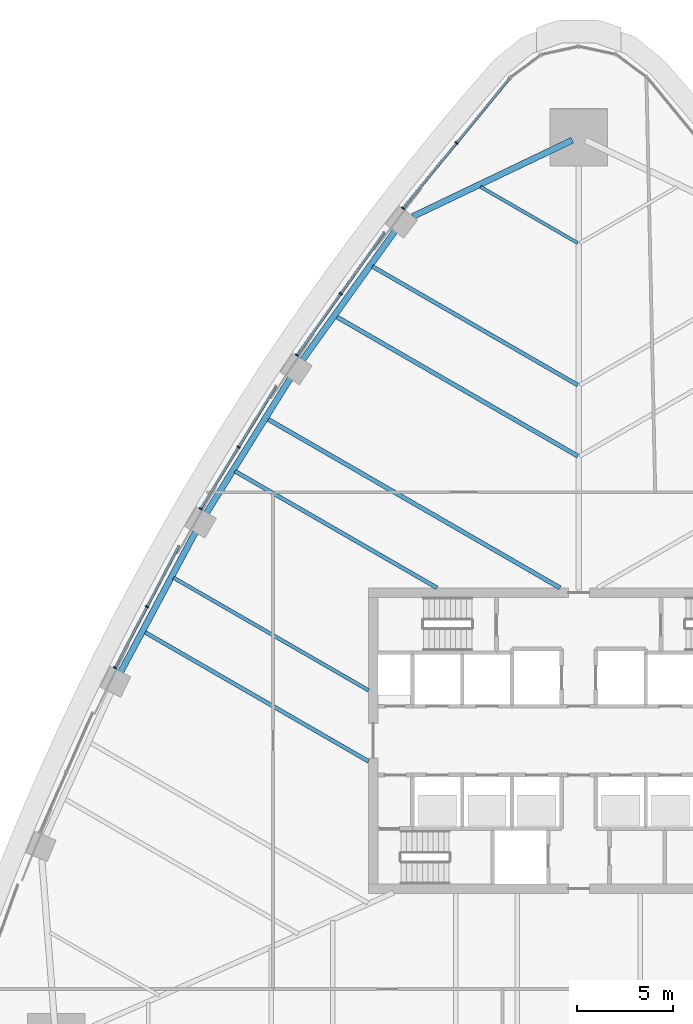
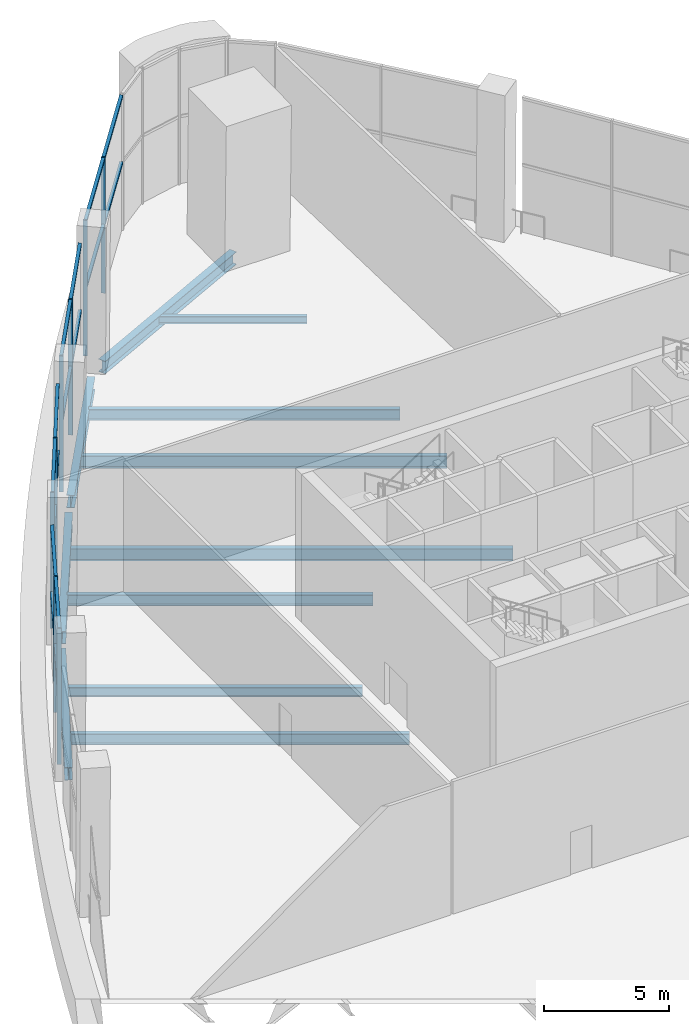
# One storey, part 7 of 23: 24 members, 11 beams, 4 elements without a shape of their own.
"""IFC4 building model written with IfcOpenShell, lengths in metres."""

from ifc_helpers import new_model, si_unit, direction, frame, origin, origin_2d, place, context, subcontext, project, spatial, rectangle, i_section, extrude, material, layer, layer_set, material_profile, profile_set, type_object, element, aggregate, save


model = new_model("IFC4")

# Units and contexts
model_context = context("Model", 3, precision=1e-05, world=origin(), true_north=direction((0.0, 1.0)))
body_context = subcontext(model_context, "Body", "Model", "MODEL_VIEW")
ifc_project = project(units=[si_unit("LENGTHUNIT", "METRE"), si_unit("AREAUNIT", "SQUARE_METRE"), si_unit("VOLUMEUNIT", "CUBIC_METRE"), si_unit("PLANEANGLEUNIT", "RADIAN"), si_unit("MASSUNIT", "GRAM", prefix="KILO")], contexts=[model_context])

# Site, building, storey
site_placement = place(None, origin())
site = spatial("IfcSite", under=ifc_project, at=site_placement, CompositionType="ELEMENT")
building_placement = place(site_placement, origin())
building = spatial("IfcBuilding", under=site, at=building_placement, Name="Sierra Prisma Convention Tower", CompositionType="ELEMENT")
storey_placement = place(building_placement, frame((0.0, 0.0, 40.800048828125)))
storey = spatial("IfcBuildingStorey", under=building, at=storey_placement, Name="L06", CompositionType="ELEMENT", Elevation=40.800048828125)

# Curtain wall, members
ifc_material_1 = material(Name="Aluminium and glass curtain wall", Category="aluminium")
ifc_layer = layer(ifc_material_1, 0.179931640625)
ifc_layer_set = layer_set([ifc_layer], Name="CW-4 Sky lobby double-height curtain wall")
curtain_wall_type = type_object("IfcCurtainWallType", Name="CW-4 Sky lobby double-height curtain wall", PredefinedType="NOTDEFINED", material=ifc_layer_set)
curtain_wall_1_placement = place(storey_placement, origin())
curtain_wall_1 = element("IfcCurtainWall", 1, at=curtain_wall_1_placement, inside=storey, type_object=curtain_wall_type, Name="CW-4 NW1 L06", PredefinedType="NOTDEFINED")
ifc_material_2 = material(Name="Aluminium 6063-T6 bronze anodised", Category="aluminium")
ifc_material_profile_1 = material_profile(ifc_material_2, rectangle(XDim=0.179931640625, YDim=0.070068359375, at=origin_2d()), Name="ALU MULLION 70x180")
ifc_profile_set_1 = profile_set([ifc_material_profile_1], Name="Aluminium 6063-T6 bronze anodised")
member_type_1 = type_object("IfcMemberType", Name="CW mullion bronze", PredefinedType="MULLION", material=ifc_profile_set_1)
member_1_placement = place(storey_placement, frame((-6.392578125, 31.278076171875, 0.0), z_axis=(0.0, 0.0, 1.0), x_axis=(0.773259675844, -0.634089483996, 0.0)))
member_1 = element("IfcMember", 2, at=member_1_placement, type_object=member_type_1, Name="CW-4 mullion NW1.2", PredefinedType="MULLION", context=body_context, shape_type="SweptSolid", body=[
    extrude(rectangle(XDim=0.179931640625, YDim=0.070068359375, at=origin_2d()), origin(), (0.0, 0.0, 1.0), 6.599853515625),
])
member_2_placement = place(storey_placement, frame((-9.194580078125, 27.861083984375, 0.0), z_axis=(0.0, 0.0, 1.0), x_axis=(0.773259675844, -0.634089483996, 0.0)))
member_2 = element("IfcMember", 3, at=member_2_placement, type_object=member_type_1, Name="CW-4 mullion NW1.3", PredefinedType="MULLION", context=body_context, shape_type="SweptSolid", body=[
    extrude(rectangle(XDim=0.179931640625, YDim=0.070068359375, at=origin_2d()), origin(), (0.0, 0.0, 1.0), 6.599853515625),
])

curtain_wall_2_placement = place(storey_placement, origin())
curtain_wall_2 = element("IfcCurtainWall", 4, at=curtain_wall_2_placement, inside=storey, type_object=curtain_wall_type, Name="CW-4 NW2 L06", PredefinedType="NOTDEFINED")
member_3_placement = place(storey_placement, frame((-12.455078125, 23.39306640625, 0.0), z_axis=(0.0, 0.0, 1.0), x_axis=(0.814565532272, -0.580071541824, 0.0)))
member_3 = element("IfcMember", 5, at=member_3_placement, type_object=member_type_1, Name="CW-4 mullion NW2.2", PredefinedType="MULLION", context=body_context, shape_type="SweptSolid", body=[
    extrude(rectangle(XDim=0.179931640625, YDim=0.070068359375, at=origin_2d()), origin(), (0.0, 0.0, 1.0), 6.599853515625),
])
member_4_placement = place(storey_placement, frame((-14.749267578125, 20.17138671875, 0.0), z_axis=(0.0, 0.0, 1.0), x_axis=(0.814565532272, -0.580071541824, 0.0)))
member_4 = element("IfcMember", 6, at=member_4_placement, type_object=member_type_1, Name="CW-4 mullion NW2.3", PredefinedType="MULLION", context=body_context, shape_type="SweptSolid", body=[
    extrude(rectangle(XDim=0.179931640625, YDim=0.070068359375, at=origin_2d()), origin(), (0.0, 0.0, 1.0), 6.599853515625),
])

curtain_wall_3_placement = place(storey_placement, origin())
curtain_wall_3 = element("IfcCurtainWall", 7, at=curtain_wall_3_placement, inside=storey, type_object=curtain_wall_type, Name="CW-4 NW3 L06", PredefinedType="NOTDEFINED")
member_5_placement = place(storey_placement, frame((-17.802734375, 15.364990234375, 0.0), z_axis=(0.0, 0.0, 1.0), x_axis=(0.852104746568, -0.523371283962, 0.0)))
member_5 = element("IfcMember", 8, at=member_5_placement, type_object=member_type_1, Name="CW-4 mullion NW3.2", PredefinedType="MULLION", context=body_context, shape_type="SweptSolid", body=[
    extrude(rectangle(XDim=0.179931640625, YDim=0.070068359375, at=origin_2d()), origin(), (0.0, 0.0, 1.0), 6.599853515625),
])
member_6_placement = place(storey_placement, frame((-19.787109375, 12.13427734375, 0.0), z_axis=(0.0, 0.0, 1.0), x_axis=(0.852104746568, -0.523371283962, 0.0)))
member_6 = element("IfcMember", 9, at=member_6_placement, type_object=member_type_1, Name="CW-4 mullion NW3.3", PredefinedType="MULLION", context=body_context, shape_type="SweptSolid", body=[
    extrude(rectangle(XDim=0.179931640625, YDim=0.070068359375, at=origin_2d()), origin(), (0.0, 0.0, 1.0), 6.599853515625),
])

curtain_wall_4_placement = place(storey_placement, origin())
curtain_wall_4 = element("IfcCurtainWall", 10, at=curtain_wall_4_placement, inside=storey, type_object=curtain_wall_type, Name="CW-4 NW4 L06", PredefinedType="NOTDEFINED")
member_7_placement = place(storey_placement, frame((-22.594482421875, 7.01171875, 0.0), z_axis=(0.0, 0.0, 1.0), x_axis=(0.885703733207, -0.464250898742, 0.0)))
member_7 = element("IfcMember", 11, at=member_7_placement, type_object=member_type_1, Name="CW-4 mullion NW4.2", PredefinedType="MULLION", context=body_context, shape_type="SweptSolid", body=[
    extrude(rectangle(XDim=0.179931640625, YDim=0.070068359375, at=origin_2d()), origin(), (0.0, 0.0, 1.0), 6.599853515625),
])
member_8_placement = place(storey_placement, frame((-24.271240234375, 3.813232421875, 0.0), z_axis=(0.0, 0.0, 1.0), x_axis=(0.885703733207, -0.464250898742, 0.0)))
member_8 = element("IfcMember", 12, at=member_8_placement, type_object=member_type_1, Name="CW-4 mullion NW4.3", PredefinedType="MULLION", context=body_context, shape_type="SweptSolid", body=[
    extrude(rectangle(XDim=0.179931640625, YDim=0.070068359375, at=origin_2d()), origin(), (0.0, 0.0, 1.0), 6.599853515625),
])

# Member
ifc_material_3 = material(Name="Aluminium 6063-T6 bronze anodised", Category="aluminium")
ifc_material_profile_2 = material_profile(ifc_material_3, rectangle(XDim=0.139892578125, YDim=0.1201171875, at=origin_2d()), Name="ALU TRANSOM 120x140")
ifc_profile_set_2 = profile_set([ifc_material_profile_2], Name="Aluminium 6063-T6 bronze anodised")
member_type_2 = type_object("IfcMemberType", Name="CW transom bronze", PredefinedType="USERDEFINED", material=ifc_profile_set_2)
member_9_placement = place(storey_placement, frame((-3.61279296875, 34.66796875, 6.5400390625), z_axis=(-0.634090329888, -0.773258982193, 0.0), x_axis=(0.773258982193, -0.634090329888, 0.0)))
member_9 = element("IfcMember", 13, at=member_9_placement, type_object=member_type_2, Name="CW-4 transom NW1.1", ObjectType="TRANSOM", PredefinedType="USERDEFINED", context=body_context, shape_type="SweptSolid", body=[
    extrude(rectangle(XDim=0.139892578125, YDim=0.1201171875, at=origin_2d()), origin(), (0.0, 0.0, 1.0), 4.348876953125),
])

member_10_placement = place(storey_placement, frame((-3.61279296875, 34.66796875, 3.300048828125), z_axis=(-0.634090329888, -0.773258982193, 0.0), x_axis=(0.773258982193, -0.634090329888, 0.0)))
member_10 = element("IfcMember", 14, at=member_10_placement, type_object=member_type_2, Name="CW-4 transom NW1.1 mid", ObjectType="TRANSOM", PredefinedType="USERDEFINED", context=body_context, shape_type="SweptSolid", body=[
    extrude(rectangle(XDim=0.139892578125, YDim=0.1201171875, at=origin_2d()), origin(), (0.0, 0.0, 1.0), 4.348876953125),
])

member_11_placement = place(storey_placement, frame((-6.414794921875, 31.2509765625, 6.5400390625), z_axis=(-0.634090329888, -0.773258982193, 0.0), x_axis=(0.773258982193, -0.634090329888, 0.0)))
member_11 = element("IfcMember", 15, at=member_11_placement, type_object=member_type_2, Name="CW-4 transom NW1.2", ObjectType="TRANSOM", PredefinedType="USERDEFINED", context=body_context, shape_type="SweptSolid", body=[
    extrude(rectangle(XDim=0.139892578125, YDim=0.1201171875, at=origin_2d()), origin(), (0.0, 0.0, 1.0), 4.348876953125),
])

member_12_placement = place(storey_placement, frame((-6.414794921875, 31.2509765625, 3.300048828125), z_axis=(-0.634090329888, -0.773258982193, 0.0), x_axis=(0.773258982193, -0.634090329888, 0.0)))
member_12 = element("IfcMember", 16, at=member_12_placement, type_object=member_type_2, Name="CW-4 transom NW1.2 mid", ObjectType="TRANSOM", PredefinedType="USERDEFINED", context=body_context, shape_type="SweptSolid", body=[
    extrude(rectangle(XDim=0.139892578125, YDim=0.1201171875, at=origin_2d()), origin(), (0.0, 0.0, 1.0), 4.348876953125),
])

aggregate(curtain_wall_1, [member_1, member_2, member_9, member_10, member_11, member_12])

member_13_placement = place(storey_placement, frame((-10.180908203125, 26.58642578125, 6.5400390625), z_axis=(-0.580060640792, -0.814573295047, 0.0), x_axis=(0.814573295047, -0.580060640792, 0.0)))
member_13 = element("IfcMember", 17, at=member_13_placement, type_object=member_type_2, Name="CW-4 transom NW2.1", ObjectType="TRANSOM", PredefinedType="USERDEFINED", context=body_context, shape_type="SweptSolid", body=[
    extrude(rectangle(XDim=0.139892578125, YDim=0.1201171875, at=origin_2d()), origin(), (0.0, 0.0, 1.0), 3.88525390625),
])

member_14_placement = place(storey_placement, frame((-10.180908203125, 26.58642578125, 3.300048828125), z_axis=(-0.580060640792, -0.814573295047, 0.0), x_axis=(0.814573295047, -0.580060640792, 0.0)))
member_14 = element("IfcMember", 18, at=member_14_placement, type_object=member_type_2, Name="CW-4 transom NW2.1 mid", ObjectType="TRANSOM", PredefinedType="USERDEFINED", context=body_context, shape_type="SweptSolid", body=[
    extrude(rectangle(XDim=0.139892578125, YDim=0.1201171875, at=origin_2d()), origin(), (0.0, 0.0, 1.0), 3.88525390625),
])

member_15_placement = place(storey_placement, frame((-12.475341796875, 23.364501953125, 6.5400390625), z_axis=(-0.580090333158, -0.814552150189, 0.0), x_axis=(0.814552150189, -0.580090333158, 0.0)))
member_15 = element("IfcMember", 19, at=member_15_placement, type_object=member_type_2, Name="CW-4 transom NW2.2", ObjectType="TRANSOM", PredefinedType="USERDEFINED", context=body_context, shape_type="SweptSolid", body=[
    extrude(rectangle(XDim=0.139892578125, YDim=0.1201171875, at=origin_2d()), origin(), (0.0, 0.0, 1.0), 3.885009765625),
])

member_16_placement = place(storey_placement, frame((-12.475341796875, 23.364501953125, 3.300048828125), z_axis=(-0.580090333158, -0.814552150189, 0.0), x_axis=(0.814552150189, -0.580090333158, 0.0)))
member_16 = element("IfcMember", 20, at=member_16_placement, type_object=member_type_2, Name="CW-4 transom NW2.2 mid", ObjectType="TRANSOM", PredefinedType="USERDEFINED", context=body_context, shape_type="SweptSolid", body=[
    extrude(rectangle(XDim=0.139892578125, YDim=0.1201171875, at=origin_2d()), origin(), (0.0, 0.0, 1.0), 3.885009765625),
])

aggregate(curtain_wall_2, [member_3, member_4, member_13, member_14, member_15, member_16])

member_17_placement = place(storey_placement, frame((-15.836669921875, 18.56591796875, 6.5400390625), z_axis=(-0.523372517151, -0.85210398913, 0.0), x_axis=(0.85210398913, -0.523372517151, 0.0)))
member_17 = element("IfcMember", 21, at=member_17_placement, type_object=member_type_2, Name="CW-4 transom NW3.1", ObjectType="TRANSOM", PredefinedType="USERDEFINED", context=body_context, shape_type="SweptSolid", body=[
    extrude(rectangle(XDim=0.139892578125, YDim=0.1201171875, at=origin_2d()), origin(), (0.0, 0.0, 1.0), 3.721435546875),
])

member_18_placement = place(storey_placement, frame((-15.836669921875, 18.56591796875, 3.300048828125), z_axis=(-0.523372517151, -0.85210398913, 0.0), x_axis=(0.85210398913, -0.523372517151, 0.0)))
member_18 = element("IfcMember", 22, at=member_18_placement, type_object=member_type_2, Name="CW-4 transom NW3.1 mid", ObjectType="TRANSOM", PredefinedType="USERDEFINED", context=body_context, shape_type="SweptSolid", body=[
    extrude(rectangle(XDim=0.139892578125, YDim=0.1201171875, at=origin_2d()), origin(), (0.0, 0.0, 1.0), 3.721435546875),
])

member_19_placement = place(storey_placement, frame((-17.821044921875, 15.335205078125, 6.5400390625), z_axis=(-0.523372517151, -0.85210398913, 0.0), x_axis=(0.85210398913, -0.523372517151, 0.0)))
member_19 = element("IfcMember", 23, at=member_19_placement, type_object=member_type_2, Name="CW-4 transom NW3.2", ObjectType="TRANSOM", PredefinedType="USERDEFINED", context=body_context, shape_type="SweptSolid", body=[
    extrude(rectangle(XDim=0.139892578125, YDim=0.1201171875, at=origin_2d()), origin(), (0.0, 0.0, 1.0), 3.721435546875),
])

member_20_placement = place(storey_placement, frame((-17.821044921875, 15.335205078125, 3.300048828125), z_axis=(-0.523372517151, -0.85210398913, 0.0), x_axis=(0.85210398913, -0.523372517151, 0.0)))
member_20 = element("IfcMember", 24, at=member_20_placement, type_object=member_type_2, Name="CW-4 transom NW3.2 mid", ObjectType="TRANSOM", PredefinedType="USERDEFINED", context=body_context, shape_type="SweptSolid", body=[
    extrude(rectangle(XDim=0.139892578125, YDim=0.1201171875, at=origin_2d()), origin(), (0.0, 0.0, 1.0), 3.721435546875),
])

aggregate(curtain_wall_3, [member_5, member_6, member_17, member_18, member_19, member_20])

member_21_placement = place(storey_placement, frame((-20.934326171875, 10.179443359375, 6.5400390625), z_axis=(-0.464228514029, -0.885715466029, 0.0), x_axis=(0.885715466029, -0.464228514029, 0.0)))
member_21 = element("IfcMember", 25, at=member_21_placement, type_object=member_type_2, Name="CW-4 transom NW4.1", ObjectType="TRANSOM", PredefinedType="USERDEFINED", context=body_context, shape_type="SweptSolid", body=[
    extrude(rectangle(XDim=0.139892578125, YDim=0.1201171875, at=origin_2d()), origin(), (0.0, 0.0, 1.0), 3.54150390625),
])

member_22_placement = place(storey_placement, frame((-20.934326171875, 10.179443359375, 3.300048828125), z_axis=(-0.464228514029, -0.885715466029, 0.0), x_axis=(0.885715466029, -0.464228514029, 0.0)))
member_22 = element("IfcMember", 26, at=member_22_placement, type_object=member_type_2, Name="CW-4 transom NW4.1 mid", ObjectType="TRANSOM", PredefinedType="USERDEFINED", context=body_context, shape_type="SweptSolid", body=[
    extrude(rectangle(XDim=0.139892578125, YDim=0.1201171875, at=origin_2d()), origin(), (0.0, 0.0, 1.0), 3.54150390625),
])

member_23_placement = place(storey_placement, frame((-22.61083984375, 6.980712890625, 6.5400390625), z_axis=(-0.464256861062, -0.885700607969, 0.0), x_axis=(0.885700607969, -0.464256861062, 0.0)))
member_23 = element("IfcMember", 27, at=member_23_placement, type_object=member_type_2, Name="CW-4 transom NW4.2", ObjectType="TRANSOM", PredefinedType="USERDEFINED", context=body_context, shape_type="SweptSolid", body=[
    extrude(rectangle(XDim=0.139892578125, YDim=0.1201171875, at=origin_2d()), origin(), (0.0, 0.0, 1.0), 3.541259765625),
])

member_24_placement = place(storey_placement, frame((-22.61083984375, 6.980712890625, 3.300048828125), z_axis=(-0.464256861062, -0.885700607969, 0.0), x_axis=(0.885700607969, -0.464256861062, 0.0)))
member_24 = element("IfcMember", 28, at=member_24_placement, type_object=member_type_2, Name="CW-4 transom NW4.2 mid", ObjectType="TRANSOM", PredefinedType="USERDEFINED", context=body_context, shape_type="SweptSolid", body=[
    extrude(rectangle(XDim=0.139892578125, YDim=0.1201171875, at=origin_2d()), origin(), (0.0, 0.0, 1.0), 3.541259765625),
])

aggregate(curtain_wall_4, [member_7, member_8, member_21, member_22, member_23, member_24])

# Beams
ifc_material_4 = material(Name="Steel ASTM A992 Gr 50", Category="steel")
ifc_material_profile_3 = material_profile(ifc_material_4, i_section(OverallWidth=0.172119140625, OverallDepth=0.35791015625, WebThickness=0.0078125, FlangeThickness=0.01318359375, at=origin_2d()), Name="W360x57")
ifc_profile_set_3 = profile_set([ifc_material_profile_3], Name="Steel ASTM A992 Gr 50")
beam_type_1 = type_object("IfcBeamType", Name="Floor joist W360x57", PredefinedType="JOIST", material=ifc_profile_set_3)
beam_1_placement = place(storey_placement, frame((-5.15185546875, 28.9873046875, -0.3291015625), z_axis=(0.866024692245, -0.50000123242, 0.0), x_axis=(0.50000123242, 0.866024692245, 0.0)))
element("IfcBeam", 29, at=beam_1_placement, inside=storey, type_object=beam_type_1, Name="Floor joist L06 NW02", PredefinedType="JOIST", context=body_context, shape_type="SweptSolid", body=[
    extrude(i_section(OverallWidth=0.172119140625, OverallDepth=0.35791015625, WebThickness=0.0078125, FlangeThickness=0.01318359375, at=origin_2d()), origin(), (0.0, 0.0, 1.0), 5.8876953125),
])
ifc_material_5 = material(Name="Steel ASTM A992 Gr 50", Category="steel")
ifc_material_profile_4 = material_profile(ifc_material_5, i_section(OverallWidth=0.18994140625, OverallDepth=0.45703125, WebThickness=0.009033203125, FlangeThickness=0.014404296875, at=origin_2d()), Name="W460x74")
ifc_profile_set_4 = profile_set([ifc_material_profile_4], Name="Steel ASTM A992 Gr 50")
beam_type_2 = type_object("IfcBeamType", Name="Floor joist W460x74", PredefinedType="JOIST", material=ifc_profile_set_4)
beam_2_placement = place(storey_placement, frame((-21.208740234375, 8.52880859375, -0.378662109375), z_axis=(0.866024520484, -0.500001529918, 0.0), x_axis=(0.500001529918, 0.866024520484, 0.0)))
element("IfcBeam", 30, at=beam_2_placement, inside=storey, type_object=beam_type_2, Name="Floor joist L06 NW10", PredefinedType="JOIST", context=body_context, shape_type="SweptSolid", body=[
    extrude(i_section(OverallWidth=0.18994140625, OverallDepth=0.45703125, WebThickness=0.009033203125, FlangeThickness=0.014404296875, at=origin_2d()), origin(), (0.0, 0.0, 1.0), 11.7880859375),
])
ifc_material_6 = material(Name="Steel ASTM A992 Gr 50", Category="steel")
ifc_material_profile_5 = material_profile(ifc_material_6, i_section(OverallWidth=0.208984375, OverallDepth=0.532958984375, WebThickness=0.01025390625, FlangeThickness=0.015625, at=origin_2d()), Name="W530x92")
ifc_profile_set_5 = profile_set([ifc_material_profile_5], Name="Steel ASTM A992 Gr 50")
beam_type_3 = type_object("IfcBeamType", Name="Floor joist W530x92", PredefinedType="JOIST", material=ifc_profile_set_5)
beam_3_placement = place(storey_placement, frame((-10.80712890625, 24.820068359375, -0.41650390625), z_axis=(0.866022866897, -0.500004393992, 0.0), x_axis=(0.500004393992, 0.866022866897, 0.0)))
element("IfcBeam", 31, at=beam_3_placement, inside=storey, type_object=beam_type_3, Name="Floor joist L06 NW04", PredefinedType="JOIST", context=body_context, shape_type="SweptSolid", body=[
    extrude(i_section(OverallWidth=0.208984375, OverallDepth=0.532958984375, WebThickness=0.01025390625, FlangeThickness=0.015625, at=origin_2d()), origin(), (0.0, 0.0, 1.0), 12.41796875),
])
beam_4_placement = place(storey_placement, frame((-17.990478515625, 14.102783203125, -0.41650390625), z_axis=(0.866030034045, -0.499991980068, 0.0), x_axis=(0.499991980068, 0.866030034045, 0.0)))
element("IfcBeam", 32, at=beam_4_placement, inside=storey, type_object=beam_type_3, Name="Floor joist L06 NW08", PredefinedType="JOIST", context=body_context, shape_type="SweptSolid", body=[
    extrude(i_section(OverallWidth=0.208984375, OverallDepth=0.532958984375, WebThickness=0.01025390625, FlangeThickness=0.015625, at=origin_2d()), origin(), (0.0, 0.0, 1.0), 12.205810546875),
])
beam_5_placement = place(storey_placement, frame((-22.72607421875, 5.688720703125, -0.41650390625), z_axis=(0.866026445548, -0.499998195608, 0.0), x_axis=(0.499998195608, 0.866026445548, 0.0)))
element("IfcBeam", 33, at=beam_5_placement, inside=storey, type_object=beam_type_3, Name="Floor joist L06 NW11", PredefinedType="JOIST", context=body_context, shape_type="SweptSolid", body=[
    extrude(i_section(OverallWidth=0.208984375, OverallDepth=0.532958984375, WebThickness=0.01025390625, FlangeThickness=0.015625, at=origin_2d()), origin(), (0.0, 0.0, 1.0), 13.5400390625),
])
ifc_material_7 = material(Name="Steel ASTM A992 Gr 50", Category="steel")
ifc_material_profile_6 = material_profile(ifc_material_7, i_section(OverallWidth=0.22802734375, OverallDepth=0.60302734375, WebThickness=0.010498046875, FlangeThickness=0.014892578125, at=origin_2d()), Name="W610x101")
ifc_profile_set_6 = profile_set([ifc_material_profile_6], Name="Steel ASTM A992 Gr 50")
beam_type_4 = type_object("IfcBeamType", Name="Floor joist W610x101", PredefinedType="JOIST", material=ifc_profile_set_6)
beam_6_placement = place(storey_placement, frame((-12.692138671875, 22.192138671875, -0.45166015625), z_axis=(0.86602847097, -0.499994687441, 0.0), x_axis=(0.499994687441, 0.86602847097, 0.0)))
element("IfcBeam", 34, at=beam_6_placement, inside=storey, type_object=beam_type_4, Name="Floor joist L06 NW05", PredefinedType="JOIST", context=body_context, shape_type="SweptSolid", body=[
    extrude(i_section(OverallWidth=0.22802734375, OverallDepth=0.60302734375, WebThickness=0.010498046875, FlangeThickness=0.014892578125, at=origin_2d()), origin(), (0.0, 0.0, 1.0), 14.594482421875),
])
beam_7_placement = place(storey_placement, frame((-16.28955078125, 16.837158203125, -0.45166015625), z_axis=(0.866021801617, -0.500006239084, 0.0), x_axis=(0.500006239084, 0.866021801617, 0.0)))
element("IfcBeam", 35, at=beam_7_placement, inside=storey, type_object=beam_type_4, Name="Floor joist L06 NW07", PredefinedType="JOIST", context=body_context, shape_type="SweptSolid", body=[
    extrude(i_section(OverallWidth=0.22802734375, OverallDepth=0.60302734375, WebThickness=0.010498046875, FlangeThickness=0.014892578125, at=origin_2d()), origin(), (0.0, 0.0, 1.0), 17.674072265625),
])
ifc_material_8 = material(Name="Steel ASTM A992 Gr 50", Category="steel")
ifc_material_profile_7 = material_profile(ifc_material_8, i_section(OverallWidth=0.324951171875, OverallDepth=0.615966796875, WebThickness=0.013916015625, FlangeThickness=0.021484375, at=origin_2d()), Name="W610x174")
ifc_profile_set_7 = profile_set([ifc_material_profile_7], Name="Steel ASTM A992 Gr 50")
beam_type_5 = type_object("IfcBeamType", Name="Spandrel beam W610x174", PredefinedType="BEAM", material=ifc_profile_set_7)
beam_8_placement = place(storey_placement, frame((-0.340087890625, 31.42431640625, -0.4580078125), z_axis=(-0.902043892828, -0.431644315857, 0.0), x_axis=(0.431644315857, -0.902043892828, 0.0)))
element("IfcBeam", 36, at=beam_8_placement, inside=storey, type_object=beam_type_5, Name="Spandrel L06-13", PredefinedType="BEAM", context=body_context, shape_type="SweptSolid", body=[
    extrude(i_section(OverallWidth=0.324951171875, OverallDepth=0.615966796875, WebThickness=0.013916015625, FlangeThickness=0.021484375, at=origin_2d()), origin(), (0.0, 0.0, 1.0), 9.241455078125),
])
beam_9_placement = place(storey_placement, frame((-9.6142578125, 26.676513671875, -0.4580078125), z_axis=(-0.582853421491, -0.812577312664, 0.0), x_axis=(0.812577312664, -0.582853421491, 0.0)))
element("IfcBeam", 37, at=beam_9_placement, inside=storey, type_object=beam_type_5, Name="Spandrel L06-14", PredefinedType="BEAM", context=body_context, shape_type="SweptSolid", body=[
    extrude(i_section(OverallWidth=0.324951171875, OverallDepth=0.615966796875, WebThickness=0.013916015625, FlangeThickness=0.021484375, at=origin_2d()), origin(), (0.0, 0.0, 1.0), 8.30126953125),
])
beam_10_placement = place(storey_placement, frame((-15.097412109375, 18.966796875, -0.4580078125), z_axis=(-0.528186925878, -0.849128124214, 0.0), x_axis=(0.849128124214, -0.528186925878, 0.0)))
element("IfcBeam", 38, at=beam_10_placement, inside=storey, type_object=beam_type_5, Name="Spandrel L06-15", PredefinedType="BEAM", context=body_context, shape_type="SweptSolid", body=[
    extrude(i_section(OverallWidth=0.324951171875, OverallDepth=0.615966796875, WebThickness=0.013916015625, FlangeThickness=0.021484375, at=origin_2d()), origin(), (0.0, 0.0, 1.0), 8.301513671875),
])
beam_11_placement = place(storey_placement, frame((-20.062255859375, 10.9130859375, -0.4580078125), z_axis=(-0.471271961659, -0.881987946717, 0.0), x_axis=(0.881987946717, -0.471271961659, 0.0)))
element("IfcBeam", 39, at=beam_11_placement, inside=storey, type_object=beam_type_5, Name="Spandrel L06-16", PredefinedType="BEAM", context=body_context, shape_type="SweptSolid", body=[
    extrude(i_section(OverallWidth=0.324951171875, OverallDepth=0.615966796875, WebThickness=0.013916015625, FlangeThickness=0.021484375, at=origin_2d()), origin(), (0.0, 0.0, 1.0), 8.30126953125),
])

save(model, "model.ifc")
